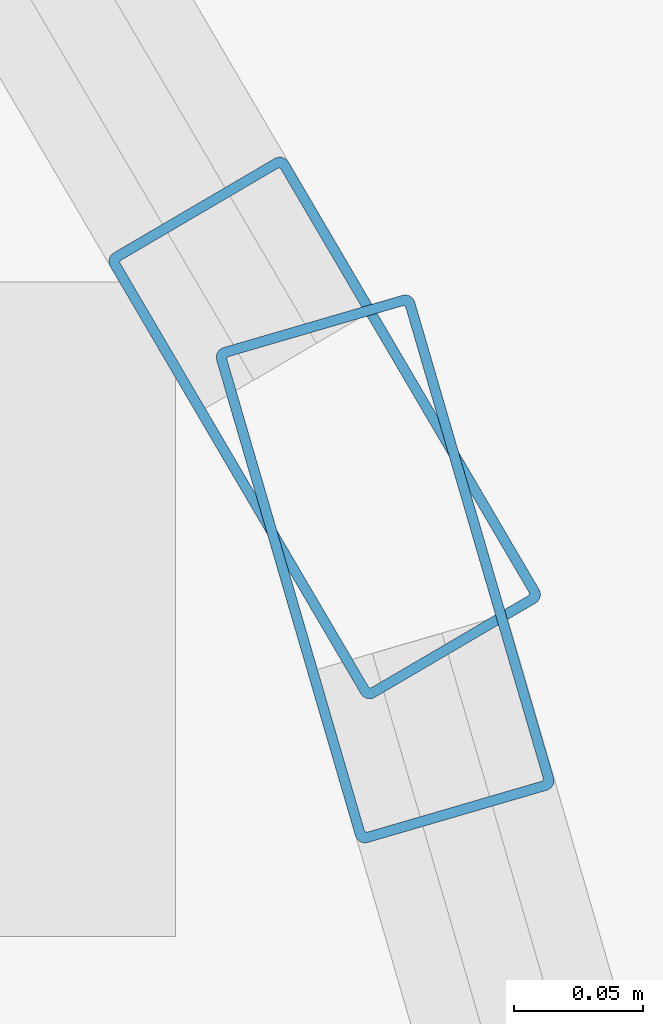
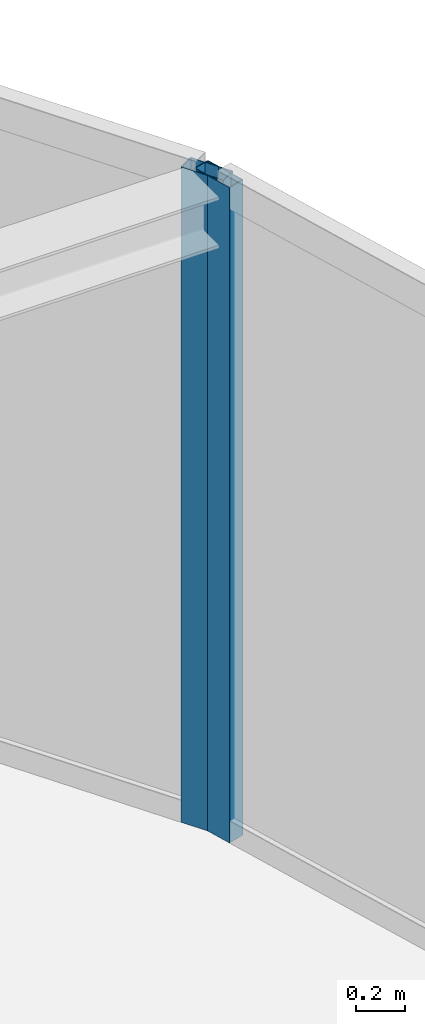
# One storey, part 15 of 30: 2 members, 2 elements without a shape of their own.
"""IFC4 building model written with IfcOpenShell, lengths in metres."""

from ifc_helpers import new_model, si_unit, direction, frame, origin, origin_2d, place, context, subcontext, project, spatial, hollow_rectangle, extrude, material, layer, layer_set, material_profile, profile_set, type_object, element, aggregate, save


model = new_model("IFC4")

# Units and contexts
model_context = context("Model", 3, precision=1e-05, world=origin(), true_north=direction((0.0, 1.0)))
body_context = subcontext(model_context, "Body", "Model", "MODEL_VIEW")
ifc_project = project(units=[si_unit("LENGTHUNIT", "METRE"), si_unit("AREAUNIT", "SQUARE_METRE"), si_unit("VOLUMEUNIT", "CUBIC_METRE"), si_unit("PLANEANGLEUNIT", "RADIAN"), si_unit("MASSUNIT", "GRAM", prefix="KILO")], contexts=[model_context])

# Site, building, storey
site_placement = place(None, origin())
site = spatial("IfcSite", under=ifc_project, at=site_placement, CompositionType="ELEMENT")
building_placement = place(site_placement, origin())
building = spatial("IfcBuilding", under=site, at=building_placement, Name="Bramvorn Convention Spire", CompositionType="ELEMENT")
storey_placement = place(building_placement, frame((0.0, 0.0, 90.39990234375)))
storey = spatial("IfcBuildingStorey", under=building, at=storey_placement, Name="L21", CompositionType="ELEMENT", Elevation=90.39990234375)

# Curtain wall, member
ifc_material_1 = material(Name="Anodised Bronze Unitised Curtain Wall", Category="aluminium")
ifc_layer = layer(ifc_material_1, 0.179931640625)
ifc_layer_set = layer_set([ifc_layer], Name="Anodised Bronze Unitised Curtain Wall - CW-HTL-FRIT")
curtain_wall_type = type_object("IfcCurtainWallType", Name="CW-HTL-FRIT", PredefinedType="USERDEFINED", material=ifc_layer_set)
curtain_wall_1_placement = place(storey_placement, origin())
curtain_wall_1 = element("IfcCurtainWall", 1, at=curtain_wall_1_placement, inside=storey, type_object=curtain_wall_type, Name="L21 fritted glass curtain wall 02", ObjectType="UNITISED CURTAIN WALL", PredefinedType="USERDEFINED")
ifc_material_2 = material(Name="Anodised Bronze Aluminium 6063-T6", Category="aluminium")
ifc_material_profile = material_profile(ifc_material_2, hollow_rectangle(XDim=0.080078125, YDim=0.199951171875, WallThickness=0.00390625, InnerFilletRadius=0.0009765625, OuterFilletRadius=0.00390625, at=origin_2d()))
ifc_profile_set = profile_set([ifc_material_profile], Name="Anodised Bronze Aluminium 6063-T6 - CWM80X200")
member_type = type_object("IfcMemberType", Name="CW-MUL-180", PredefinedType="MULLION", material=ifc_profile_set)
member_1_placement = place(storey_placement, frame((68.3232421875, 29.355712890625, 0.0), z_axis=(0.0, 0.0, 1.0), x_axis=(0.959942285209, 0.280197803467, 0.0)))
member_1 = element("IfcMember", 2, at=member_1_placement, type_object=member_type, Name="CW2 mullion 1", PredefinedType="MULLION", context=body_context, shape_type="SweptSolid", body=[
    extrude(hollow_rectangle(XDim=0.080078125, YDim=0.199951171875, WallThickness=0.00390625, InnerFilletRadius=0.0009765625, OuterFilletRadius=0.00390625, at=origin_2d()), origin(), (0.0, 0.0, 1.0), 3.25),
])
aggregate(curtain_wall_1, [member_1])

curtain_wall_2_placement = place(storey_placement, origin())
curtain_wall_2 = element("IfcCurtainWall", 3, at=curtain_wall_2_placement, inside=storey, type_object=curtain_wall_type, Name="L21 fritted glass curtain wall 03", ObjectType="UNITISED CURTAIN WALL", PredefinedType="USERDEFINED")
member_2_placement = place(storey_placement, frame((68.2998046875, 29.410400390625, 0.0), z_axis=(0.0, 0.0, 1.0), x_axis=(0.862629089126, 0.505836984209, 0.0)))
member_2 = element("IfcMember", 4, at=member_2_placement, type_object=member_type, Name="CW2 mullion 2", PredefinedType="MULLION", context=body_context, shape_type="SweptSolid", body=[
    extrude(hollow_rectangle(XDim=0.080078125, YDim=0.199951171875, WallThickness=0.00390625, InnerFilletRadius=0.0009765625, OuterFilletRadius=0.00390625, at=origin_2d()), origin(), (0.0, 0.0, 1.0), 3.25),
])
aggregate(curtain_wall_2, [member_2])

save(model, "model.ifc")
